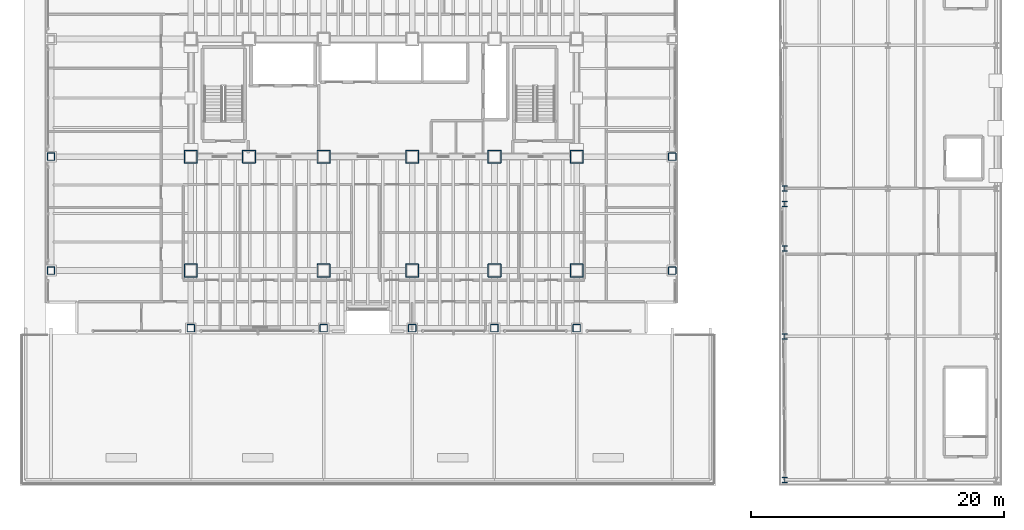
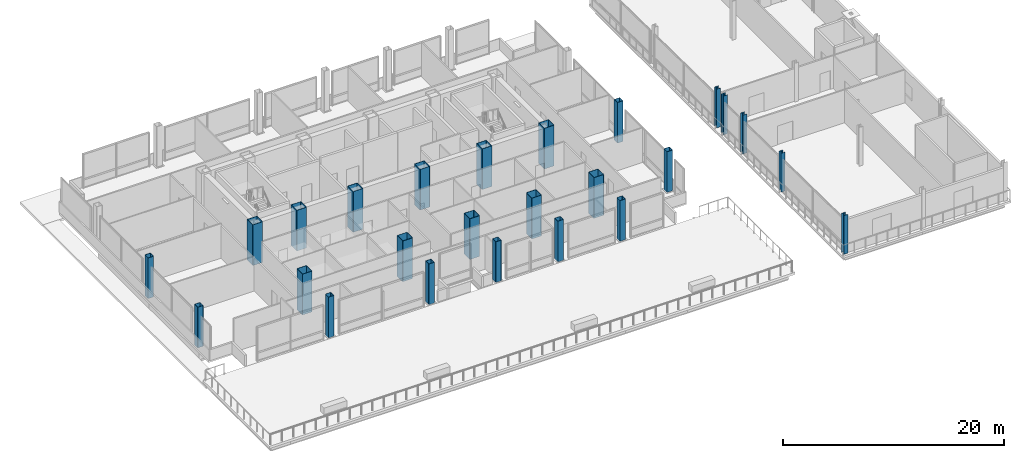
# One storey, part 1 of 34: 25 columns.
"""IFC4 building model written with IfcOpenShell, lengths in metres."""

from ifc_helpers import new_model, si_unit, direction, frame, origin, origin_2d, place, context, subcontext, project, spatial, hollow_rectangle, i_section, extrude, material, material_profile, profile_set, type_object, element, save


model = new_model("IFC4")

# Units and contexts
model_context = context("Model", 3, precision=1e-05, world=origin(), true_north=direction((0.0, 1.0)))
body_context = subcontext(model_context, "Body", "Model", "MODEL_VIEW")
ifc_project = project(units=[si_unit("LENGTHUNIT", "METRE"), si_unit("AREAUNIT", "SQUARE_METRE"), si_unit("VOLUMEUNIT", "CUBIC_METRE"), si_unit("PLANEANGLEUNIT", "RADIAN"), si_unit("MASSUNIT", "GRAM", prefix="KILO")], contexts=[model_context])

# Site, building, storey
site_placement = place(None, origin())
site = spatial("IfcSite", under=ifc_project, at=site_placement, CompositionType="ELEMENT")
building_placement = place(site_placement, origin())
building = spatial("IfcBuilding", under=site, at=building_placement, Name="Noeulbin Bourse Tower", CompositionType="ELEMENT")
storey_placement = place(building_placement, frame((0.0, 0.0, 22.0)))
storey = spatial("IfcBuildingStorey", under=building, at=storey_placement, Name="L05", CompositionType="ELEMENT", Elevation=22.0)

# Columns
ifc_material_1 = material(Name="Steel S355", Category="steel")
ifc_material_profile_1 = material_profile(ifc_material_1, i_section(OverallWidth=0.406982421875, OverallDepth=0.427978515625, WebThickness=0.02001953125, FlangeThickness=0.034912109375, FilletRadius=0.02197265625, at=origin_2d()), Name="H-428x407x20x35", Category="LoadBearing")
ifc_profile_set_1 = profile_set([ifc_material_profile_1], Name="Steel S355")
column_type_1 = type_object("IfcColumnType", Name="COL-MKT-ST", PredefinedType="COLUMN", material=ifc_profile_set_1)
for number, where, z_axis, x_axis, name in (
    (1, (60.449951171875, 3.449951171875, 0.0), (0.0, 0.0, 1.0), (1.0, 0.0, 0.0), "Market Hall Column COL-MKT-ST 01"),
    (2, (60.449951171875, 14.800048828125, 0.0), (0.0, 0.0, 1.0), (1.0, 0.0, 0.0), "Market Hall Column COL-MKT-ST 02"),
    (3, (60.449951171875, 21.75, 0.0), (0.0, 0.0, 1.0), (1.0, 0.0, 0.0), "Market Hall Column COL-MKT-ST 03"),
    (4, (60.449951171875, 25.25, 0.0), (0.0, 0.0, 1.0), (1.0, 0.0, 0.0), "Market Hall Column COL-MKT-ST 04"),
    (5, (60.449951171875, 26.5, 0.0), (0.0, 0.0, 1.0), (1.0, 0.0, 0.0), "Market Hall Column COL-MKT-ST 05"),
):
    element("IfcColumn", number, at=place(storey_placement, frame(where, z_axis=z_axis, x_axis=x_axis)), inside=storey, type_object=column_type_1, Name=name, PredefinedType="COLUMN", context=body_context, shape_type="SweptSolid", body=[
        extrude(i_section(OverallWidth=0.406982421875, OverallDepth=0.427978515625, WebThickness=0.02001953125, FlangeThickness=0.034912109375, FilletRadius=0.02197265625, at=origin_2d()), origin(), (0.0, 0.0, 1.0), 4.2900390625),
    ])
ifc_material_2 = material(Name="Steel S460", Category="steel")
ifc_material_profile_2 = material_profile(ifc_material_2, hollow_rectangle(XDim=0.60009765625, YDim=0.60009765625, WallThickness=0.02587890625, InnerFilletRadius=0.012939453125, OuterFilletRadius=0.0390625, at=origin_2d()), Name="BOX-600x600x26", Category="LoadBearing")
ifc_profile_set_2 = profile_set([ifc_material_profile_2], Name="Steel S460")
column_type_2 = type_object("IfcColumnType", Name="COL-PER-Z1", PredefinedType="COLUMN", material=ifc_profile_set_2)
for number, where, z_axis, x_axis, name in (
    (6, (2.449951171875, 20.0, 0.0), (0.0, 0.0, 1.0), (1.0, 0.0, 0.0), "Tower Perimeter Column COL-PER-Z1 01"),
    (7, (2.449951171875, 29.0, 0.0), (0.0, 0.0, 1.0), (1.0, 0.0, 0.0), "Tower Perimeter Column COL-PER-Z1 02"),
    (8, (13.5, 15.449951171875, 0.0), (0.0, 0.0, 1.0), (1.0, 0.0, 0.0), "Tower Perimeter Column COL-PER-Z1 04"),
    (9, (24.0, 15.449951171875, 0.0), (0.0, 0.0, 1.0), (1.0, 0.0, 0.0), "Tower Perimeter Column COL-PER-Z1 06"),
    (10, (31.0, 15.449951171875, 0.0), (0.0, 0.0, 1.0), (1.0, 0.0, 0.0), "Tower Perimeter Column COL-PER-Z1 08"),
    (11, (37.5, 15.449951171875, 0.0), (0.0, 0.0, 1.0), (1.0, 0.0, 0.0), "Tower Perimeter Column COL-PER-Z1 10"),
    (12, (44.0, 15.449951171875, 0.0), (0.0, 0.0, 1.0), (1.0, 0.0, 0.0), "Tower Perimeter Column COL-PER-Z1 12"),
    (13, (51.550048828125, 20.0, 0.0), (0.0, 0.0, 1.0), (1.0, 0.0, 0.0), "Tower Perimeter Column COL-PER-Z1 14"),
    (14, (51.550048828125, 29.0, 0.0), (0.0, 0.0, 1.0), (1.0, 0.0, 0.0), "Tower Perimeter Column COL-PER-Z1 15"),
):
    element("IfcColumn", number, at=place(storey_placement, frame(where, z_axis=z_axis, x_axis=x_axis)), inside=storey, type_object=column_type_2, Name=name, PredefinedType="COLUMN", context=body_context, shape_type="SweptSolid", body=[
        extrude(hollow_rectangle(XDim=0.60009765625, YDim=0.60009765625, WallThickness=0.02587890625, InnerFilletRadius=0.012939453125, OuterFilletRadius=0.0390625, at=origin_2d()), origin(), (0.0, 0.0, 1.0), 4.5),
    ])
ifc_material_profile_3 = material_profile(ifc_material_2, hollow_rectangle(XDim=1.050048828125, YDim=1.050048828125, WallThickness=0.0380859375, InnerFilletRadius=0.01904296875, OuterFilletRadius=0.056884765625, at=origin_2d()), Name="BOX-1050x1050x38", Category="LoadBearing")
ifc_profile_set_3 = profile_set([ifc_material_profile_3], Name="Steel S460")
column_type_3 = type_object("IfcColumnType", Name="COL-TRK-Z1", PredefinedType="COLUMN", material=ifc_profile_set_3)
for number, where, z_axis, x_axis, name in (
    (15, (13.5, 29.0, 0.0), (0.0, 0.0, 1.0), (1.0, 0.0, 0.0), "Tower Trunk Mega-Column COL-TRK-Z1 01"),
    (16, (18.10009765625, 29.0, 0.0), (0.0, 0.0, 1.0), (1.0, 0.0, 0.0), "Tower Trunk Mega-Column COL-TRK-Z1 03"),
    (17, (24.0, 29.0, 0.0), (0.0, 0.0, 1.0), (1.0, 0.0, 0.0), "Tower Trunk Mega-Column COL-TRK-Z1 05"),
    (18, (31.0, 29.0, 0.0), (0.0, 0.0, 1.0), (1.0, 0.0, 0.0), "Tower Trunk Mega-Column COL-TRK-Z1 07"),
    (19, (37.5, 29.0, 0.0), (0.0, 0.0, 1.0), (1.0, 0.0, 0.0), "Tower Trunk Mega-Column COL-TRK-Z1 09"),
    (20, (44.0, 29.0, 0.0), (0.0, 0.0, 1.0), (1.0, 0.0, 0.0), "Tower Trunk Mega-Column COL-TRK-Z1 11"),
    (21, (13.5, 20.0, 0.0), (0.0, 0.0, 1.0), (1.0, 0.0, 0.0), "Tower Trunk Mega-Column COL-TRK-Z1 13"),
    (22, (24.0, 20.0, 0.0), (0.0, 0.0, 1.0), (1.0, 0.0, 0.0), "Tower Trunk Mega-Column COL-TRK-Z1 14"),
    (23, (31.0, 20.0, 0.0), (0.0, 0.0, 1.0), (1.0, 0.0, 0.0), "Tower Trunk Mega-Column COL-TRK-Z1 15"),
    (24, (37.5, 20.0, 0.0), (0.0, 0.0, 1.0), (1.0, 0.0, 0.0), "Tower Trunk Mega-Column COL-TRK-Z1 16"),
    (25, (44.0, 20.0, 0.0), (0.0, 0.0, 1.0), (1.0, 0.0, 0.0), "Tower Trunk Mega-Column COL-TRK-Z1 17"),
):
    element("IfcColumn", number, at=place(storey_placement, frame(where, z_axis=z_axis, x_axis=x_axis)), inside=storey, type_object=column_type_3, Name=name, PredefinedType="COLUMN", context=body_context, shape_type="SweptSolid", body=[
        extrude(hollow_rectangle(XDim=1.050048828125, YDim=1.050048828125, WallThickness=0.0380859375, InnerFilletRadius=0.01904296875, OuterFilletRadius=0.056884765625, at=origin_2d()), origin(), (0.0, 0.0, 1.0), 4.5),
    ])

save(model, "model.ifc")
